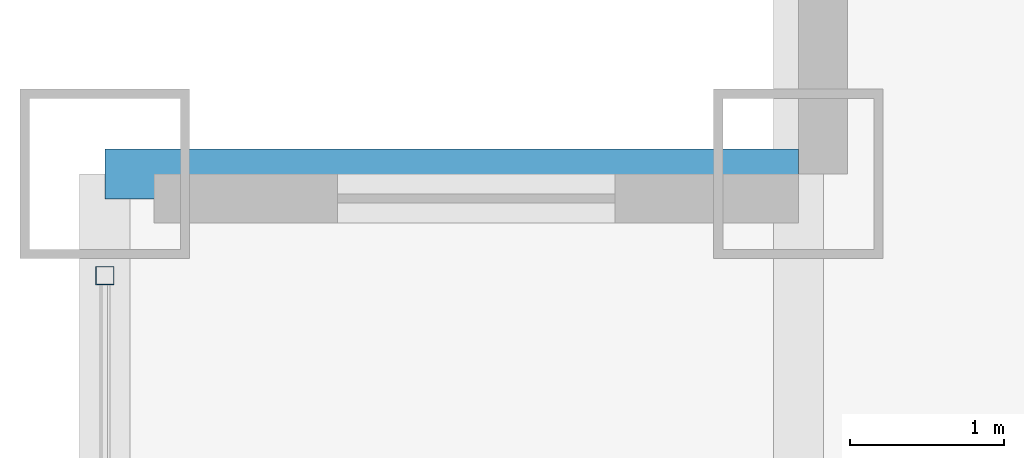
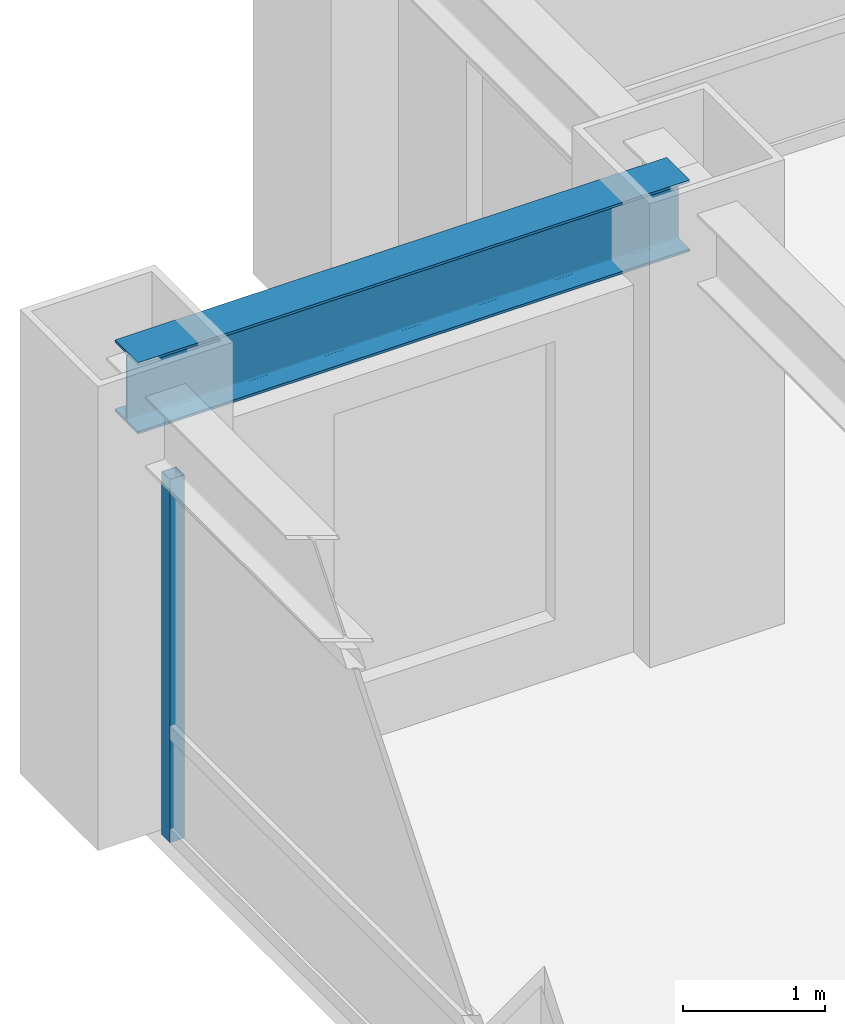
# One storey, part 12 of 24: 1 beam, 1 member, 1 element without a shape of its own.
"""IFC4 building model written with IfcOpenShell, lengths in metres."""

from ifc_helpers import new_model, si_unit, direction, frame, origin, origin_2d, place, context, subcontext, project, spatial, hollow_rectangle, i_section, extrude, source, transform, mapped, material, material_profile, profile_set, type_object, element, aggregate, save


model = new_model("IFC4")

# Units and contexts
model_context = context("Model", 3, precision=1e-05, world=origin(), true_north=direction((0.0, 1.0)))
body_context = subcontext(model_context, "Body", "Model", "MODEL_VIEW")
ifc_project = project(units=[si_unit("LENGTHUNIT", "METRE"), si_unit("AREAUNIT", "SQUARE_METRE"), si_unit("VOLUMEUNIT", "CUBIC_METRE"), si_unit("PLANEANGLEUNIT", "RADIAN"), si_unit("MASSUNIT", "GRAM", prefix="KILO")], contexts=[model_context])

# Site, building, storey
site_placement = place(None, origin())
site = spatial("IfcSite", under=ifc_project, at=site_placement, CompositionType="ELEMENT")
building_placement = place(site_placement, origin())
building = spatial("IfcBuilding", under=site, at=building_placement, Name="Khorayat Bourse Tower", CompositionType="ELEMENT")
storey_placement = place(building_placement, frame((0.0, 0.0, 175.10009765625)))
storey = spatial("IfcBuildingStorey", under=building, at=storey_placement, Name="L40", CompositionType="ELEMENT", Elevation=175.10009765625)

# Beam
ifc_material_1 = material(Name="Steel ASTM A992 Grade 50", Category="steel")
ifc_material_profile_1 = material_profile(ifc_material_1, i_section(OverallWidth=0.324951171875, OverallDepth=0.615966796875, WebThickness=0.013916015625, FlangeThickness=0.021484375, FilletRadius=0.01611328125, at=origin_2d()), Name="W610X174")
ifc_profile_set_1 = profile_set([ifc_material_profile_1], Name="Steel ASTM A992 Grade 50")
beam_type = type_object("IfcBeamType", Name="BM-SPAN-610", PredefinedType="SPANDREL", material=ifc_profile_set_1)
shared_shape_1 = source(origin(), body_context, "Body", "SweptSolid", [
    extrude(i_section(OverallWidth=0.324951171875, OverallDepth=0.615966796875, WebThickness=0.013916015625, FlangeThickness=0.021484375, FilletRadius=0.01611328125, at=origin_2d()), origin(), (0.0, 0.0, 1.0), 4.5),
])
beam_placement = place(storey_placement, frame((-30.0, 25.5, 3.471923828125), z_axis=(1.0, 0.0, 0.0), x_axis=(0.0, 1.0, 0.0)))
element("IfcBeam", 1, at=beam_placement, inside=storey, type_object=beam_type, Name="L40 BM-SPAN-610 BM-L40-SPN-053", PredefinedType="SPANDREL", context=body_context, shape_type="MappedRepresentation", body=[
    mapped(shared_shape_1, transform((0.0, 0.0, 0.0), scale=1.0)),
])

# Curtain wall, member
ifc_material_2 = material(Name="Aluminium EN AW-6063 T6", Category="aluminium")
curtain_wall_type = type_object("IfcCurtainWallType", Name="CW-SYS-03", PredefinedType="NOTDEFINED", material=ifc_material_2)
curtain_wall_placement = place(storey_placement, origin())
curtain_wall = element("IfcCurtainWall", 2, at=curtain_wall_placement, inside=storey, type_object=curtain_wall_type, Name="L40 Curtain Wall CW-L40-W1", PredefinedType="NOTDEFINED")
ifc_material_profile_2 = material_profile(ifc_material_2, hollow_rectangle(XDim=0.1201171875, YDim=0.1201171875, WallThickness=0.0048828125, at=origin_2d()), Name="ALU 120x120x5")
ifc_profile_set_2 = profile_set([ifc_material_profile_2], Name="Aluminium EN AW-6063 T6")
member_type = type_object("IfcMemberType", Name="CWM-VERT-120", PredefinedType="MULLION", material=ifc_profile_set_2)
shared_shape_2 = source(origin(), body_context, "Body", "SweptSolid", [
    extrude(hollow_rectangle(XDim=0.1201171875, YDim=0.1201171875, WallThickness=0.0048828125, at=origin_2d()), origin(), (0.0, 0.0, 1.0), 3.1298828125),
])
member_placement = place(storey_placement, frame((-30.0, 24.840087890625, 0.0), z_axis=(0.0, 0.0, 1.0), x_axis=(-1.0, 0.0, 0.0)))
member = element("IfcMember", 3, at=member_placement, type_object=member_type, Name="CW-L40-W1 Vertical Mullion 3", PredefinedType="MULLION", context=body_context, shape_type="MappedRepresentation", body=[
    mapped(shared_shape_2, transform((0.0, 0.0, 0.0), scale=1.0)),
])
aggregate(curtain_wall, [member])

save(model, "model.ifc")
